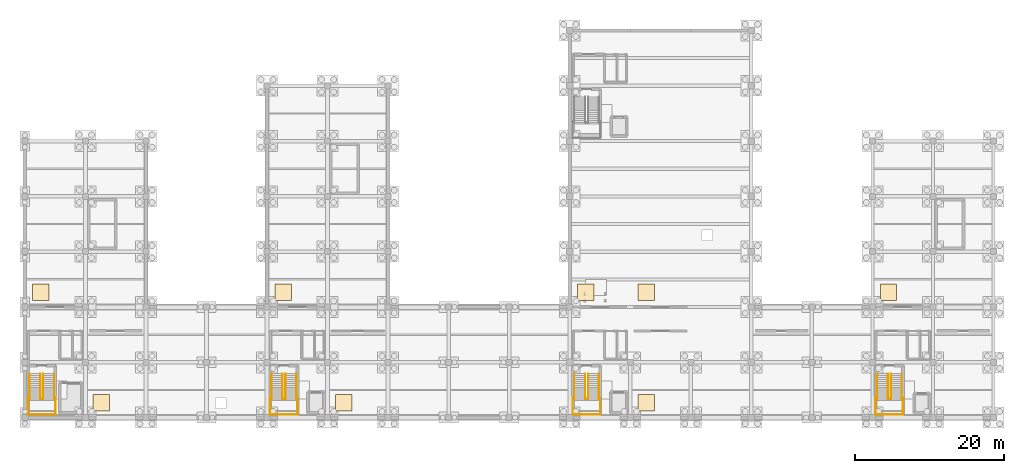
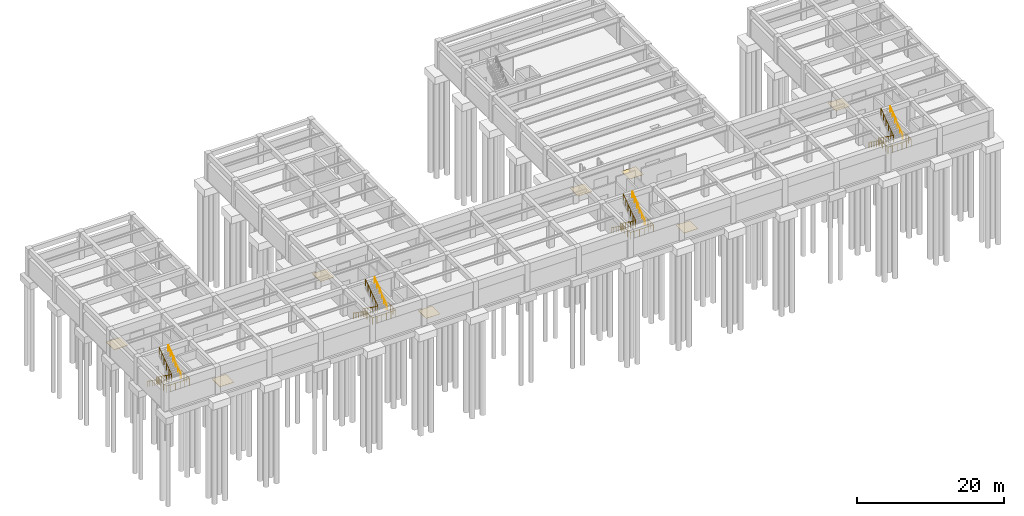
# One storey, part 12 of 14: 16 railings, 8 coverings.
"""IFC4 building model written with IfcOpenShell, lengths in metres."""

from ifc_helpers import new_model, si_unit, direction, frame, origin, origin_2d, place, context, subcontext, project, spatial, rectangle, circle, extrude, material, layer, layer_set, type_object, element, save


model = new_model("IFC4")

# Units and contexts
model_context = context("Model", 3, precision=1e-05, world=origin(), true_north=direction((0.0, 1.0)))
body_context = subcontext(model_context, "Body", "Model", "MODEL_VIEW")
ifc_project = project(units=[si_unit("LENGTHUNIT", "METRE"), si_unit("AREAUNIT", "SQUARE_METRE"), si_unit("VOLUMEUNIT", "CUBIC_METRE"), si_unit("PLANEANGLEUNIT", "RADIAN"), si_unit("MASSUNIT", "GRAM", prefix="KILO")], contexts=[model_context])

# Site, building, storey
site_placement = place(None, origin())
site = spatial("IfcSite", under=ifc_project, at=site_placement, CompositionType="ELEMENT")
building_placement = place(site_placement, origin())
building = spatial("IfcBuilding", under=site, at=building_placement, Name="Cimatlan Art Gallery", CompositionType="ELEMENT")
storey_placement = place(building_placement, frame((0.0, 0.0, -4.800048828125)))
storey = spatial("IfcBuildingStorey", under=building, at=storey_placement, Name="B1", CompositionType="ELEMENT", Elevation=-4.800048828125)

# Coverings
ifc_material_1 = material(Name="Honed Queretaro limestone terrazzo flooring", Category="masonry")
ifc_layer = layer(ifc_material_1, 0.02001953125)
ifc_layer_set = layer_set([ifc_layer], Name="Honed Queretaro limestone terrazzo flooring")
covering_type = type_object("IfcCoveringType", Name="COV-FLR-TERRAZZO-20", PredefinedType="FLOORING", material=ifc_layer_set)
for number, where, z_axis, x_axis, name in (
    (1, (4.14990234375, 40.699951171875, 0.0), (0.0, 0.0, 1.0), (1.0, 0.0, 0.0), "FLR-B1-AST-01"),
    (2, (36.550048828125, 40.699951171875, 0.0), (0.0, 0.0, 1.0), (1.0, 0.0, 0.0), "FLR-B1-AST-02"),
    (3, (85.14990234375, 40.699951171875, 0.0), (0.0, 0.0, 1.0), (1.0, 0.0, 0.0), "FLR-B1-AST-03"),
    (4, (77.050048828125, 40.699951171875, 0.0), (0.0, 0.0, 1.0), (1.0, 0.0, 0.0), "FLR-B1-AST-04"),
    (5, (117.550048828125, 40.699951171875, 0.0), (0.0, 0.0, 1.0), (1.0, 0.0, 0.0), "FLR-B1-AST-05"),
    (6, (12.25, 25.89990234375, 0.0), (0.0, 0.0, 1.0), (1.0, 0.0, 0.0), "FLR-B1-CRT-01"),
    (7, (44.64990234375, 25.89990234375, 0.0), (0.0, 0.0, 1.0), (1.0, 0.0, 0.0), "FLR-B1-CNS-01"),
    (8, (85.14990234375, 25.89990234375, 0.0), (0.0, 0.0, 1.0), (1.0, 0.0, 0.0), "FLR-B1-ARC-01"),
):
    element("IfcCovering", number, at=place(storey_placement, frame(where, z_axis=z_axis, x_axis=x_axis)), inside=storey, type_object=covering_type, Name=name, PredefinedType="FLOORING", context=body_context, shape_type="SweptSolid", body=[
        extrude(rectangle(XDim=2.199951171875, YDim=2.199951171875, at=origin_2d()), origin(), (0.0, 0.0, 1.0), 0.02001953125),
    ])

# Railings
ifc_material_2 = material(Name="Painted steel and bronze interior balustrade", Category="steel")
railing_type_1 = type_object("IfcRailingType", Name="RL-BAL-INT-1120", PredefinedType="BALUSTRADE", material=ifc_material_2)
railing_1_placement = place(storey_placement, frame((2.409912109375, 26.510009765625, 2.400146484375)))
element("IfcRailing", 9, at=railing_1_placement, inside=storey, type_object=railing_type_1, Name="STR-C1-B1-LGRD", PredefinedType="BALUSTRADE", context=body_context, shape_type="SweptSolid", body=[
    extrude(circle(Radius=0.02392578125, at=origin_2d()), frame((0.0, 0.0, 1.09619140625), z_axis=(0.0, -1.0, 0.0), x_axis=(1.0, 0.0, 0.0)), (0.0, 0.0, 1.0), 2.199951171875),
    extrude(circle(Radius=0.02392578125, at=origin_2d()), frame((0.0, -2.199951171875, 1.09619140625), z_axis=(1.0, 0.0, 0.0), x_axis=(0.0, 1.0, 0.0)), (0.0, 0.0, 1.0), 3.670166015625),
    extrude(circle(Radius=0.02392578125, at=origin_2d()), frame((3.670166015625, -2.199951171875, 1.09619140625), z_axis=(0.0, 1.0, 0.0), x_axis=(-1.0, 0.0, 0.0)), (0.0, 0.0, 1.0), 2.199951171875),
    extrude(circle(Radius=0.02001953125, at=origin_2d()), origin(), (0.0, 0.0, 1.0), 1.072021484375),
    extrude(circle(Radius=0.02001953125, at=origin_2d()), frame((0.0, -0.7333984375, 0.0)), (0.0, 0.0, 1.0), 1.072021484375),
    extrude(circle(Radius=0.02001953125, at=origin_2d()), frame((0.0, -1.466552734375, 0.0)), (0.0, 0.0, 1.0), 1.072021484375),
    extrude(circle(Radius=0.02001953125, at=origin_2d()), frame((0.0, -2.199951171875, 0.0)), (0.0, 0.0, 1.0), 1.072021484375),
    extrude(circle(Radius=0.02001953125, at=origin_2d()), frame((0.734130859375, -2.199951171875, 0.0)), (0.0, 0.0, 1.0), 1.072021484375),
    extrude(circle(Radius=0.02001953125, at=origin_2d()), frame((1.468017578125, -2.199951171875, 0.0)), (0.0, 0.0, 1.0), 1.072021484375),
    extrude(circle(Radius=0.02001953125, at=origin_2d()), frame((2.2021484375, -2.199951171875, 0.0)), (0.0, 0.0, 1.0), 1.072021484375),
    extrude(circle(Radius=0.02001953125, at=origin_2d()), frame((2.93603515625, -2.199951171875, 0.0)), (0.0, 0.0, 1.0), 1.072021484375),
    extrude(circle(Radius=0.02001953125, at=origin_2d()), frame((3.670166015625, -2.199951171875, 0.0)), (0.0, 0.0, 1.0), 1.072021484375),
    extrude(circle(Radius=0.02001953125, at=origin_2d()), frame((3.670166015625, -1.466552734375, 0.0)), (0.0, 0.0, 1.0), 1.072021484375),
    extrude(circle(Radius=0.02001953125, at=origin_2d()), frame((3.670166015625, -0.7333984375, 0.0)), (0.0, 0.0, 1.0), 1.072021484375),
    extrude(circle(Radius=0.02001953125, at=origin_2d()), frame((3.670166015625, 0.0, 0.0)), (0.0, 0.0, 1.0), 1.072021484375),
])
railing_2_placement = place(storey_placement, frame((4.070068359375, 29.780029296875, 0.0)))
element("IfcRailing", 10, at=railing_2_placement, inside=storey, type_object=railing_type_1, Name="STR-C1-B1-GRD", PredefinedType="BALUSTRADE", context=body_context, shape_type="SweptSolid", body=[
    extrude(circle(Radius=0.02392578125, at=origin_2d()), frame((0.0, 0.0, 1.09619140625), z_axis=(0.0, -0.815353794257, 0.578963030072), x_axis=(1.0, 0.0, 0.0)), (0.0, 0.0, 1.0), 4.1455078125),
    extrude(circle(Radius=0.02392578125, at=origin_2d()), frame((0.0, -3.380126953125, 3.49609375), z_axis=(1.0, 0.0, 0.0), x_axis=(0.0, 1.0, 0.0)), (0.0, 0.0, 1.0), 0.39990234375),
    extrude(circle(Radius=0.02392578125, at=origin_2d()), frame((0.39990234375, -3.380126953125, 3.49609375), z_axis=(0.0, 0.815381594603, 0.578923876847), x_axis=(-1.0, 0.0, 0.0)), (0.0, 0.0, 1.0), 4.1455078125),
    extrude(circle(Radius=0.02001953125, at=origin_2d()), origin(), (0.0, 0.0, 1.0), 1.072021484375),
    extrude(circle(Radius=0.02001953125, at=origin_2d()), frame((0.0, -0.676025390625, 0.47998046875)), (0.0, 0.0, 1.0), 1.072021484375),
    extrude(circle(Radius=0.02001953125, at=origin_2d()), frame((0.0, -1.35205078125, 0.9599609375)), (0.0, 0.0, 1.0), 1.072021484375),
    extrude(circle(Radius=0.02001953125, at=origin_2d()), frame((0.0, -2.028076171875, 1.440185546875)), (0.0, 0.0, 1.0), 1.072021484375),
    extrude(circle(Radius=0.02001953125, at=origin_2d()), frame((0.0, -2.7041015625, 1.920166015625)), (0.0, 0.0, 1.0), 1.072021484375),
    extrude(circle(Radius=0.02001953125, at=origin_2d()), frame((0.0, -3.380126953125, 2.400146484375)), (0.0, 0.0, 1.0), 1.072021484375),
    extrude(circle(Radius=0.02001953125, at=origin_2d()), frame((0.39990234375, -3.380126953125, 2.400146484375)), (0.0, 0.0, 1.0), 1.072021484375),
    extrude(circle(Radius=0.02001953125, at=origin_2d()), frame((0.39990234375, -2.7041015625, 2.880126953125)), (0.0, 0.0, 1.0), 1.072021484375),
    extrude(circle(Radius=0.02001953125, at=origin_2d()), frame((0.39990234375, -2.028076171875, 3.360107421875)), (0.0, 0.0, 1.0), 1.072021484375),
    extrude(circle(Radius=0.02001953125, at=origin_2d()), frame((0.39990234375, -1.35205078125, 3.840087890625)), (0.0, 0.0, 1.0), 1.072021484375),
    extrude(circle(Radius=0.02001953125, at=origin_2d()), frame((0.39990234375, -0.676025390625, 4.320068359375)), (0.0, 0.0, 1.0), 1.072021484375),
    extrude(circle(Radius=0.02001953125, at=origin_2d()), frame((0.39990234375, 0.0, 4.800048828125)), (0.0, 0.0, 1.0), 1.072021484375),
])
railing_3_placement = place(storey_placement, frame((34.81005859375, 26.510009765625, 2.400146484375)))
element("IfcRailing", 11, at=railing_3_placement, inside=storey, type_object=railing_type_1, Name="STR-C2-B1-LGRD", PredefinedType="BALUSTRADE", context=body_context, shape_type="SweptSolid", body=[
    extrude(circle(Radius=0.02392578125, at=origin_2d()), frame((0.0, 0.0, 1.09619140625), z_axis=(0.0, -1.0, 0.0), x_axis=(1.0, 0.0, 0.0)), (0.0, 0.0, 1.0), 2.199951171875),
    extrude(circle(Radius=0.02392578125, at=origin_2d()), frame((0.0, -2.199951171875, 1.09619140625), z_axis=(1.0, 0.0, 0.0), x_axis=(0.0, 1.0, 0.0)), (0.0, 0.0, 1.0), 3.669921875),
    extrude(circle(Radius=0.02392578125, at=origin_2d()), frame((3.669921875, -2.199951171875, 1.09619140625), z_axis=(0.0, 1.0, 0.0), x_axis=(-1.0, 0.0, 0.0)), (0.0, 0.0, 1.0), 2.199951171875),
    extrude(circle(Radius=0.02001953125, at=origin_2d()), origin(), (0.0, 0.0, 1.0), 1.072021484375),
    extrude(circle(Radius=0.02001953125, at=origin_2d()), frame((0.0, -0.7333984375, 0.0)), (0.0, 0.0, 1.0), 1.072021484375),
    extrude(circle(Radius=0.02001953125, at=origin_2d()), frame((0.0, -1.466552734375, 0.0)), (0.0, 0.0, 1.0), 1.072021484375),
    extrude(circle(Radius=0.02001953125, at=origin_2d()), frame((0.0, -2.199951171875, 0.0)), (0.0, 0.0, 1.0), 1.072021484375),
    extrude(circle(Radius=0.02001953125, at=origin_2d()), frame((0.73388671875, -2.199951171875, 0.0)), (0.0, 0.0, 1.0), 1.072021484375),
    extrude(circle(Radius=0.02001953125, at=origin_2d()), frame((1.468017578125, -2.199951171875, 0.0)), (0.0, 0.0, 1.0), 1.072021484375),
    extrude(circle(Radius=0.02001953125, at=origin_2d()), frame((2.201904296875, -2.199951171875, 0.0)), (0.0, 0.0, 1.0), 1.072021484375),
    extrude(circle(Radius=0.02001953125, at=origin_2d()), frame((2.93603515625, -2.199951171875, 0.0)), (0.0, 0.0, 1.0), 1.072021484375),
    extrude(circle(Radius=0.02001953125, at=origin_2d()), frame((3.669921875, -2.199951171875, 0.0)), (0.0, 0.0, 1.0), 1.072021484375),
    extrude(circle(Radius=0.02001953125, at=origin_2d()), frame((3.669921875, -1.466552734375, 0.0)), (0.0, 0.0, 1.0), 1.072021484375),
    extrude(circle(Radius=0.02001953125, at=origin_2d()), frame((3.669921875, -0.7333984375, 0.0)), (0.0, 0.0, 1.0), 1.072021484375),
    extrude(circle(Radius=0.02001953125, at=origin_2d()), frame((3.669921875, 0.0, 0.0)), (0.0, 0.0, 1.0), 1.072021484375),
])
railing_4_placement = place(storey_placement, frame((36.469970703125, 29.780029296875, 0.0)))
element("IfcRailing", 12, at=railing_4_placement, inside=storey, type_object=railing_type_1, Name="STR-C2-B1-GRD", PredefinedType="BALUSTRADE", context=body_context, shape_type="SweptSolid", body=[
    extrude(circle(Radius=0.02392578125, at=origin_2d()), frame((0.0, 0.0, 1.09619140625), z_axis=(0.0, -0.815353794257, 0.578963030072), x_axis=(1.0, 0.0, 0.0)), (0.0, 0.0, 1.0), 4.1455078125),
    extrude(circle(Radius=0.02392578125, at=origin_2d()), frame((0.0, -3.380126953125, 3.49609375), z_axis=(1.0, 0.0, 0.0), x_axis=(0.0, 1.0, 0.0)), (0.0, 0.0, 1.0), 0.400146484375),
    extrude(circle(Radius=0.02392578125, at=origin_2d()), frame((0.400146484375, -3.380126953125, 3.49609375), z_axis=(0.0, 0.815381594603, 0.578923876847), x_axis=(-1.0, 0.0, 0.0)), (0.0, 0.0, 1.0), 4.1455078125),
    extrude(circle(Radius=0.02001953125, at=origin_2d()), origin(), (0.0, 0.0, 1.0), 1.072021484375),
    extrude(circle(Radius=0.02001953125, at=origin_2d()), frame((0.0, -0.676025390625, 0.47998046875)), (0.0, 0.0, 1.0), 1.072021484375),
    extrude(circle(Radius=0.02001953125, at=origin_2d()), frame((0.0, -1.35205078125, 0.9599609375)), (0.0, 0.0, 1.0), 1.072021484375),
    extrude(circle(Radius=0.02001953125, at=origin_2d()), frame((0.0, -2.028076171875, 1.440185546875)), (0.0, 0.0, 1.0), 1.072021484375),
    extrude(circle(Radius=0.02001953125, at=origin_2d()), frame((0.0, -2.7041015625, 1.920166015625)), (0.0, 0.0, 1.0), 1.072021484375),
    extrude(circle(Radius=0.02001953125, at=origin_2d()), frame((0.0, -3.380126953125, 2.400146484375)), (0.0, 0.0, 1.0), 1.072021484375),
    extrude(circle(Radius=0.02001953125, at=origin_2d()), frame((0.400146484375, -3.380126953125, 2.400146484375)), (0.0, 0.0, 1.0), 1.072021484375),
    extrude(circle(Radius=0.02001953125, at=origin_2d()), frame((0.400146484375, -2.7041015625, 2.880126953125)), (0.0, 0.0, 1.0), 1.072021484375),
    extrude(circle(Radius=0.02001953125, at=origin_2d()), frame((0.400146484375, -2.028076171875, 3.360107421875)), (0.0, 0.0, 1.0), 1.072021484375),
    extrude(circle(Radius=0.02001953125, at=origin_2d()), frame((0.400146484375, -1.35205078125, 3.840087890625)), (0.0, 0.0, 1.0), 1.072021484375),
    extrude(circle(Radius=0.02001953125, at=origin_2d()), frame((0.400146484375, -0.676025390625, 4.320068359375)), (0.0, 0.0, 1.0), 1.072021484375),
    extrude(circle(Radius=0.02001953125, at=origin_2d()), frame((0.400146484375, 0.0, 4.800048828125)), (0.0, 0.0, 1.0), 1.072021484375),
])
railing_5_placement = place(storey_placement, frame((75.31005859375, 26.510009765625, 2.400146484375)))
element("IfcRailing", 13, at=railing_5_placement, inside=storey, type_object=railing_type_1, Name="STR-C3-B1-LGRD", PredefinedType="BALUSTRADE", context=body_context, shape_type="SweptSolid", body=[
    extrude(circle(Radius=0.02392578125, at=origin_2d()), frame((0.0, 0.0, 1.09619140625), z_axis=(0.0, -1.0, 0.0), x_axis=(1.0, 0.0, 0.0)), (0.0, 0.0, 1.0), 2.199951171875),
    extrude(circle(Radius=0.02392578125, at=origin_2d()), frame((0.0, -2.199951171875, 1.09619140625), z_axis=(1.0, 0.0, 0.0), x_axis=(0.0, 1.0, 0.0)), (0.0, 0.0, 1.0), 3.669921875),
    extrude(circle(Radius=0.02392578125, at=origin_2d()), frame((3.669921875, -2.199951171875, 1.09619140625), z_axis=(0.0, 1.0, 0.0), x_axis=(-1.0, 0.0, 0.0)), (0.0, 0.0, 1.0), 2.199951171875),
    extrude(circle(Radius=0.02001953125, at=origin_2d()), origin(), (0.0, 0.0, 1.0), 1.072021484375),
    extrude(circle(Radius=0.02001953125, at=origin_2d()), frame((0.0, -0.7333984375, 0.0)), (0.0, 0.0, 1.0), 1.072021484375),
    extrude(circle(Radius=0.02001953125, at=origin_2d()), frame((0.0, -1.466552734375, 0.0)), (0.0, 0.0, 1.0), 1.072021484375),
    extrude(circle(Radius=0.02001953125, at=origin_2d()), frame((0.0, -2.199951171875, 0.0)), (0.0, 0.0, 1.0), 1.072021484375),
    extrude(circle(Radius=0.02001953125, at=origin_2d()), frame((0.73388671875, -2.199951171875, 0.0)), (0.0, 0.0, 1.0), 1.072021484375),
    extrude(circle(Radius=0.02001953125, at=origin_2d()), frame((1.468017578125, -2.199951171875, 0.0)), (0.0, 0.0, 1.0), 1.072021484375),
    extrude(circle(Radius=0.02001953125, at=origin_2d()), frame((2.201904296875, -2.199951171875, 0.0)), (0.0, 0.0, 1.0), 1.072021484375),
    extrude(circle(Radius=0.02001953125, at=origin_2d()), frame((2.93603515625, -2.199951171875, 0.0)), (0.0, 0.0, 1.0), 1.072021484375),
    extrude(circle(Radius=0.02001953125, at=origin_2d()), frame((3.669921875, -2.199951171875, 0.0)), (0.0, 0.0, 1.0), 1.072021484375),
    extrude(circle(Radius=0.02001953125, at=origin_2d()), frame((3.669921875, -1.466552734375, 0.0)), (0.0, 0.0, 1.0), 1.072021484375),
    extrude(circle(Radius=0.02001953125, at=origin_2d()), frame((3.669921875, -0.7333984375, 0.0)), (0.0, 0.0, 1.0), 1.072021484375),
    extrude(circle(Radius=0.02001953125, at=origin_2d()), frame((3.669921875, 0.0, 0.0)), (0.0, 0.0, 1.0), 1.072021484375),
])
railing_6_placement = place(storey_placement, frame((76.969970703125, 29.780029296875, 0.0)))
element("IfcRailing", 14, at=railing_6_placement, inside=storey, type_object=railing_type_1, Name="STR-C3-B1-GRD", PredefinedType="BALUSTRADE", context=body_context, shape_type="SweptSolid", body=[
    extrude(circle(Radius=0.02392578125, at=origin_2d()), frame((0.0, 0.0, 1.09619140625), z_axis=(0.0, -0.815353794257, 0.578963030072), x_axis=(1.0, 0.0, 0.0)), (0.0, 0.0, 1.0), 4.1455078125),
    extrude(circle(Radius=0.02392578125, at=origin_2d()), frame((0.0, -3.380126953125, 3.49609375), z_axis=(1.0, 0.0, 0.0), x_axis=(0.0, 1.0, 0.0)), (0.0, 0.0, 1.0), 0.400146484375),
    extrude(circle(Radius=0.02392578125, at=origin_2d()), frame((0.400146484375, -3.380126953125, 3.49609375), z_axis=(0.0, 0.815381594603, 0.578923876847), x_axis=(-1.0, 0.0, 0.0)), (0.0, 0.0, 1.0), 4.1455078125),
    extrude(circle(Radius=0.02001953125, at=origin_2d()), origin(), (0.0, 0.0, 1.0), 1.072021484375),
    extrude(circle(Radius=0.02001953125, at=origin_2d()), frame((0.0, -0.676025390625, 0.47998046875)), (0.0, 0.0, 1.0), 1.072021484375),
    extrude(circle(Radius=0.02001953125, at=origin_2d()), frame((0.0, -1.35205078125, 0.9599609375)), (0.0, 0.0, 1.0), 1.072021484375),
    extrude(circle(Radius=0.02001953125, at=origin_2d()), frame((0.0, -2.028076171875, 1.440185546875)), (0.0, 0.0, 1.0), 1.072021484375),
    extrude(circle(Radius=0.02001953125, at=origin_2d()), frame((0.0, -2.7041015625, 1.920166015625)), (0.0, 0.0, 1.0), 1.072021484375),
    extrude(circle(Radius=0.02001953125, at=origin_2d()), frame((0.0, -3.380126953125, 2.400146484375)), (0.0, 0.0, 1.0), 1.072021484375),
    extrude(circle(Radius=0.02001953125, at=origin_2d()), frame((0.400146484375, -3.380126953125, 2.400146484375)), (0.0, 0.0, 1.0), 1.072021484375),
    extrude(circle(Radius=0.02001953125, at=origin_2d()), frame((0.400146484375, -2.7041015625, 2.880126953125)), (0.0, 0.0, 1.0), 1.072021484375),
    extrude(circle(Radius=0.02001953125, at=origin_2d()), frame((0.400146484375, -2.028076171875, 3.360107421875)), (0.0, 0.0, 1.0), 1.072021484375),
    extrude(circle(Radius=0.02001953125, at=origin_2d()), frame((0.400146484375, -1.35205078125, 3.840087890625)), (0.0, 0.0, 1.0), 1.072021484375),
    extrude(circle(Radius=0.02001953125, at=origin_2d()), frame((0.400146484375, -0.676025390625, 4.320068359375)), (0.0, 0.0, 1.0), 1.072021484375),
    extrude(circle(Radius=0.02001953125, at=origin_2d()), frame((0.400146484375, 0.0, 4.800048828125)), (0.0, 0.0, 1.0), 1.072021484375),
])
railing_7_placement = place(storey_placement, frame((115.81005859375, 26.510009765625, 2.400146484375)))
element("IfcRailing", 15, at=railing_7_placement, inside=storey, type_object=railing_type_1, Name="STR-C4-B1-LGRD", PredefinedType="BALUSTRADE", context=body_context, shape_type="SweptSolid", body=[
    extrude(circle(Radius=0.02392578125, at=origin_2d()), frame((0.0, 0.0, 1.09619140625), z_axis=(0.0, -1.0, 0.0), x_axis=(1.0, 0.0, 0.0)), (0.0, 0.0, 1.0), 2.199951171875),
    extrude(circle(Radius=0.02392578125, at=origin_2d()), frame((0.0, -2.199951171875, 1.09619140625), z_axis=(1.0, 0.0, 0.0), x_axis=(0.0, 1.0, 0.0)), (0.0, 0.0, 1.0), 3.669921875),
    extrude(circle(Radius=0.02392578125, at=origin_2d()), frame((3.669921875, -2.199951171875, 1.09619140625), z_axis=(0.0, 1.0, 0.0), x_axis=(-1.0, 0.0, 0.0)), (0.0, 0.0, 1.0), 2.199951171875),
    extrude(circle(Radius=0.02001953125, at=origin_2d()), origin(), (0.0, 0.0, 1.0), 1.072021484375),
    extrude(circle(Radius=0.02001953125, at=origin_2d()), frame((0.0, -0.7333984375, 0.0)), (0.0, 0.0, 1.0), 1.072021484375),
    extrude(circle(Radius=0.02001953125, at=origin_2d()), frame((0.0, -1.466552734375, 0.0)), (0.0, 0.0, 1.0), 1.072021484375),
    extrude(circle(Radius=0.02001953125, at=origin_2d()), frame((0.0, -2.199951171875, 0.0)), (0.0, 0.0, 1.0), 1.072021484375),
    extrude(circle(Radius=0.02001953125, at=origin_2d()), frame((0.73388671875, -2.199951171875, 0.0)), (0.0, 0.0, 1.0), 1.072021484375),
    extrude(circle(Radius=0.02001953125, at=origin_2d()), frame((1.468017578125, -2.199951171875, 0.0)), (0.0, 0.0, 1.0), 1.072021484375),
    extrude(circle(Radius=0.02001953125, at=origin_2d()), frame((2.201904296875, -2.199951171875, 0.0)), (0.0, 0.0, 1.0), 1.072021484375),
    extrude(circle(Radius=0.02001953125, at=origin_2d()), frame((2.93603515625, -2.199951171875, 0.0)), (0.0, 0.0, 1.0), 1.072021484375),
    extrude(circle(Radius=0.02001953125, at=origin_2d()), frame((3.669921875, -2.199951171875, 0.0)), (0.0, 0.0, 1.0), 1.072021484375),
    extrude(circle(Radius=0.02001953125, at=origin_2d()), frame((3.669921875, -1.466552734375, 0.0)), (0.0, 0.0, 1.0), 1.072021484375),
    extrude(circle(Radius=0.02001953125, at=origin_2d()), frame((3.669921875, -0.7333984375, 0.0)), (0.0, 0.0, 1.0), 1.072021484375),
    extrude(circle(Radius=0.02001953125, at=origin_2d()), frame((3.669921875, 0.0, 0.0)), (0.0, 0.0, 1.0), 1.072021484375),
])
railing_8_placement = place(storey_placement, frame((117.469970703125, 29.780029296875, 0.0)))
element("IfcRailing", 16, at=railing_8_placement, inside=storey, type_object=railing_type_1, Name="STR-C4-B1-GRD", PredefinedType="BALUSTRADE", context=body_context, shape_type="SweptSolid", body=[
    extrude(circle(Radius=0.02392578125, at=origin_2d()), frame((0.0, 0.0, 1.09619140625), z_axis=(0.0, -0.815353794257, 0.578963030072), x_axis=(1.0, 0.0, 0.0)), (0.0, 0.0, 1.0), 4.1455078125),
    extrude(circle(Radius=0.02392578125, at=origin_2d()), frame((0.0, -3.380126953125, 3.49609375), z_axis=(1.0, 0.0, 0.0), x_axis=(0.0, 1.0, 0.0)), (0.0, 0.0, 1.0), 0.400146484375),
    extrude(circle(Radius=0.02392578125, at=origin_2d()), frame((0.400146484375, -3.380126953125, 3.49609375), z_axis=(0.0, 0.815381594603, 0.578923876847), x_axis=(-1.0, 0.0, 0.0)), (0.0, 0.0, 1.0), 4.1455078125),
    extrude(circle(Radius=0.02001953125, at=origin_2d()), origin(), (0.0, 0.0, 1.0), 1.072021484375),
    extrude(circle(Radius=0.02001953125, at=origin_2d()), frame((0.0, -0.676025390625, 0.47998046875)), (0.0, 0.0, 1.0), 1.072021484375),
    extrude(circle(Radius=0.02001953125, at=origin_2d()), frame((0.0, -1.35205078125, 0.9599609375)), (0.0, 0.0, 1.0), 1.072021484375),
    extrude(circle(Radius=0.02001953125, at=origin_2d()), frame((0.0, -2.028076171875, 1.440185546875)), (0.0, 0.0, 1.0), 1.072021484375),
    extrude(circle(Radius=0.02001953125, at=origin_2d()), frame((0.0, -2.7041015625, 1.920166015625)), (0.0, 0.0, 1.0), 1.072021484375),
    extrude(circle(Radius=0.02001953125, at=origin_2d()), frame((0.0, -3.380126953125, 2.400146484375)), (0.0, 0.0, 1.0), 1.072021484375),
    extrude(circle(Radius=0.02001953125, at=origin_2d()), frame((0.400146484375, -3.380126953125, 2.400146484375)), (0.0, 0.0, 1.0), 1.072021484375),
    extrude(circle(Radius=0.02001953125, at=origin_2d()), frame((0.400146484375, -2.7041015625, 2.880126953125)), (0.0, 0.0, 1.0), 1.072021484375),
    extrude(circle(Radius=0.02001953125, at=origin_2d()), frame((0.400146484375, -2.028076171875, 3.360107421875)), (0.0, 0.0, 1.0), 1.072021484375),
    extrude(circle(Radius=0.02001953125, at=origin_2d()), frame((0.400146484375, -1.35205078125, 3.840087890625)), (0.0, 0.0, 1.0), 1.072021484375),
    extrude(circle(Radius=0.02001953125, at=origin_2d()), frame((0.400146484375, -0.676025390625, 4.320068359375)), (0.0, 0.0, 1.0), 1.072021484375),
    extrude(circle(Radius=0.02001953125, at=origin_2d()), frame((0.400146484375, 0.0, 4.800048828125)), (0.0, 0.0, 1.0), 1.072021484375),
])
ifc_material_3 = material(Name="Brushed bronze stair handrail")
railing_type_2 = type_object("IfcRailingType", Name="RL-HND-INT-920", PredefinedType="HANDRAIL", material=ifc_material_3)
railing_9_placement = place(storey_placement, frame((2.610107421875, 29.780029296875, 0.0)))
element("IfcRailing", 17, at=railing_9_placement, inside=storey, type_object=railing_type_2, Name="STR-C1-B1-HR1", PredefinedType="HANDRAIL", context=body_context, shape_type="SweptSolid", body=[
    extrude(circle(Radius=0.02197265625, at=origin_2d()), frame((0.0, 0.0, 0.89794921875), z_axis=(0.0, -0.815353794257, 0.578963030072), x_axis=(1.0, 0.0, 0.0)), (0.0, 0.0, 1.0), 4.1455078125),
    extrude(circle(Radius=0.01904296875, at=origin_2d()), origin(), (0.0, 0.0, 1.0), 0.8759765625),
    extrude(circle(Radius=0.01904296875, at=origin_2d()), frame((0.0, -0.676025390625, 0.47998046875)), (0.0, 0.0, 1.0), 0.8759765625),
    extrude(circle(Radius=0.01904296875, at=origin_2d()), frame((0.0, -1.35205078125, 0.9599609375)), (0.0, 0.0, 1.0), 0.8759765625),
    extrude(circle(Radius=0.01904296875, at=origin_2d()), frame((0.0, -2.028076171875, 1.440185546875)), (0.0, 0.0, 1.0), 0.8759765625),
    extrude(circle(Radius=0.01904296875, at=origin_2d()), frame((0.0, -2.7041015625, 1.920166015625)), (0.0, 0.0, 1.0), 0.8759765625),
    extrude(circle(Radius=0.01904296875, at=origin_2d()), frame((0.0, -3.380126953125, 2.400146484375)), (0.0, 0.0, 1.0), 0.8759765625),
])
railing_10_placement = place(storey_placement, frame((5.929931640625, 26.39990234375, 2.400146484375)))
element("IfcRailing", 18, at=railing_10_placement, inside=storey, type_object=railing_type_2, Name="STR-C1-B1-HR2", PredefinedType="HANDRAIL", context=body_context, shape_type="SweptSolid", body=[
    extrude(circle(Radius=0.02197265625, at=origin_2d()), frame((0.0, 0.0, 0.89794921875), z_axis=(0.0, 0.815381594603, 0.578923876847), x_axis=(-1.0, 0.0, 0.0)), (0.0, 0.0, 1.0), 4.1455078125),
    extrude(circle(Radius=0.01904296875, at=origin_2d()), origin(), (0.0, 0.0, 1.0), 0.8759765625),
    extrude(circle(Radius=0.01904296875, at=origin_2d()), frame((0.0, 0.676025390625, 0.47998046875)), (0.0, 0.0, 1.0), 0.8759765625),
    extrude(circle(Radius=0.01904296875, at=origin_2d()), frame((0.0, 1.35205078125, 0.9599609375)), (0.0, 0.0, 1.0), 0.8759765625),
    extrude(circle(Radius=0.01904296875, at=origin_2d()), frame((0.0, 2.028076171875, 1.43994140625)), (0.0, 0.0, 1.0), 0.8759765625),
    extrude(circle(Radius=0.01904296875, at=origin_2d()), frame((0.0, 2.7041015625, 1.919921875)), (0.0, 0.0, 1.0), 0.8759765625),
    extrude(circle(Radius=0.01904296875, at=origin_2d()), frame((0.0, 3.380126953125, 2.39990234375)), (0.0, 0.0, 1.0), 0.8759765625),
])
railing_11_placement = place(storey_placement, frame((35.010009765625, 29.780029296875, 0.0)))
element("IfcRailing", 19, at=railing_11_placement, inside=storey, type_object=railing_type_2, Name="STR-C2-B1-HR1", PredefinedType="HANDRAIL", context=body_context, shape_type="SweptSolid", body=[
    extrude(circle(Radius=0.02197265625, at=origin_2d()), frame((0.0, 0.0, 0.89794921875), z_axis=(0.0, -0.815353794257, 0.578963030072), x_axis=(1.0, 0.0, 0.0)), (0.0, 0.0, 1.0), 4.1455078125),
    extrude(circle(Radius=0.01904296875, at=origin_2d()), origin(), (0.0, 0.0, 1.0), 0.8759765625),
    extrude(circle(Radius=0.01904296875, at=origin_2d()), frame((0.0, -0.676025390625, 0.47998046875)), (0.0, 0.0, 1.0), 0.8759765625),
    extrude(circle(Radius=0.01904296875, at=origin_2d()), frame((0.0, -1.35205078125, 0.9599609375)), (0.0, 0.0, 1.0), 0.8759765625),
    extrude(circle(Radius=0.01904296875, at=origin_2d()), frame((0.0, -2.028076171875, 1.440185546875)), (0.0, 0.0, 1.0), 0.8759765625),
    extrude(circle(Radius=0.01904296875, at=origin_2d()), frame((0.0, -2.7041015625, 1.920166015625)), (0.0, 0.0, 1.0), 0.8759765625),
    extrude(circle(Radius=0.01904296875, at=origin_2d()), frame((0.0, -3.380126953125, 2.400146484375)), (0.0, 0.0, 1.0), 0.8759765625),
])
railing_12_placement = place(storey_placement, frame((38.330078125, 26.39990234375, 2.400146484375)))
element("IfcRailing", 20, at=railing_12_placement, inside=storey, type_object=railing_type_2, Name="STR-C2-B1-HR2", PredefinedType="HANDRAIL", context=body_context, shape_type="SweptSolid", body=[
    extrude(circle(Radius=0.02197265625, at=origin_2d()), frame((0.0, 0.0, 0.89794921875), z_axis=(0.0, 0.815381594603, 0.578923876847), x_axis=(-1.0, 0.0, 0.0)), (0.0, 0.0, 1.0), 4.1455078125),
    extrude(circle(Radius=0.01904296875, at=origin_2d()), origin(), (0.0, 0.0, 1.0), 0.8759765625),
    extrude(circle(Radius=0.01904296875, at=origin_2d()), frame((0.0, 0.676025390625, 0.47998046875)), (0.0, 0.0, 1.0), 0.8759765625),
    extrude(circle(Radius=0.01904296875, at=origin_2d()), frame((0.0, 1.35205078125, 0.9599609375)), (0.0, 0.0, 1.0), 0.8759765625),
    extrude(circle(Radius=0.01904296875, at=origin_2d()), frame((0.0, 2.028076171875, 1.43994140625)), (0.0, 0.0, 1.0), 0.8759765625),
    extrude(circle(Radius=0.01904296875, at=origin_2d()), frame((0.0, 2.7041015625, 1.919921875)), (0.0, 0.0, 1.0), 0.8759765625),
    extrude(circle(Radius=0.01904296875, at=origin_2d()), frame((0.0, 3.380126953125, 2.39990234375)), (0.0, 0.0, 1.0), 0.8759765625),
])
railing_13_placement = place(storey_placement, frame((75.510009765625, 29.780029296875, 0.0)))
element("IfcRailing", 21, at=railing_13_placement, inside=storey, type_object=railing_type_2, Name="STR-C3-B1-HR1", PredefinedType="HANDRAIL", context=body_context, shape_type="SweptSolid", body=[
    extrude(circle(Radius=0.02197265625, at=origin_2d()), frame((0.0, 0.0, 0.89794921875), z_axis=(0.0, -0.815353794257, 0.578963030072), x_axis=(1.0, 0.0, 0.0)), (0.0, 0.0, 1.0), 4.1455078125),
    extrude(circle(Radius=0.01904296875, at=origin_2d()), origin(), (0.0, 0.0, 1.0), 0.8759765625),
    extrude(circle(Radius=0.01904296875, at=origin_2d()), frame((0.0, -0.676025390625, 0.47998046875)), (0.0, 0.0, 1.0), 0.8759765625),
    extrude(circle(Radius=0.01904296875, at=origin_2d()), frame((0.0, -1.35205078125, 0.9599609375)), (0.0, 0.0, 1.0), 0.8759765625),
    extrude(circle(Radius=0.01904296875, at=origin_2d()), frame((0.0, -2.028076171875, 1.440185546875)), (0.0, 0.0, 1.0), 0.8759765625),
    extrude(circle(Radius=0.01904296875, at=origin_2d()), frame((0.0, -2.7041015625, 1.920166015625)), (0.0, 0.0, 1.0), 0.8759765625),
    extrude(circle(Radius=0.01904296875, at=origin_2d()), frame((0.0, -3.380126953125, 2.400146484375)), (0.0, 0.0, 1.0), 0.8759765625),
])
railing_14_placement = place(storey_placement, frame((78.830078125, 26.39990234375, 2.400146484375)))
element("IfcRailing", 22, at=railing_14_placement, inside=storey, type_object=railing_type_2, Name="STR-C3-B1-HR2", PredefinedType="HANDRAIL", context=body_context, shape_type="SweptSolid", body=[
    extrude(circle(Radius=0.02197265625, at=origin_2d()), frame((0.0, 0.0, 0.89794921875), z_axis=(0.0, 0.815381594603, 0.578923876847), x_axis=(-1.0, 0.0, 0.0)), (0.0, 0.0, 1.0), 4.1455078125),
    extrude(circle(Radius=0.01904296875, at=origin_2d()), origin(), (0.0, 0.0, 1.0), 0.8759765625),
    extrude(circle(Radius=0.01904296875, at=origin_2d()), frame((0.0, 0.676025390625, 0.47998046875)), (0.0, 0.0, 1.0), 0.8759765625),
    extrude(circle(Radius=0.01904296875, at=origin_2d()), frame((0.0, 1.35205078125, 0.9599609375)), (0.0, 0.0, 1.0), 0.8759765625),
    extrude(circle(Radius=0.01904296875, at=origin_2d()), frame((0.0, 2.028076171875, 1.43994140625)), (0.0, 0.0, 1.0), 0.8759765625),
    extrude(circle(Radius=0.01904296875, at=origin_2d()), frame((0.0, 2.7041015625, 1.919921875)), (0.0, 0.0, 1.0), 0.8759765625),
    extrude(circle(Radius=0.01904296875, at=origin_2d()), frame((0.0, 3.380126953125, 2.39990234375)), (0.0, 0.0, 1.0), 0.8759765625),
])
railing_15_placement = place(storey_placement, frame((116.010009765625, 29.780029296875, 0.0)))
element("IfcRailing", 23, at=railing_15_placement, inside=storey, type_object=railing_type_2, Name="STR-C4-B1-HR1", PredefinedType="HANDRAIL", context=body_context, shape_type="SweptSolid", body=[
    extrude(circle(Radius=0.02197265625, at=origin_2d()), frame((0.0, 0.0, 0.89794921875), z_axis=(0.0, -0.815353794257, 0.578963030072), x_axis=(1.0, 0.0, 0.0)), (0.0, 0.0, 1.0), 4.1455078125),
    extrude(circle(Radius=0.01904296875, at=origin_2d()), origin(), (0.0, 0.0, 1.0), 0.8759765625),
    extrude(circle(Radius=0.01904296875, at=origin_2d()), frame((0.0, -0.676025390625, 0.47998046875)), (0.0, 0.0, 1.0), 0.8759765625),
    extrude(circle(Radius=0.01904296875, at=origin_2d()), frame((0.0, -1.35205078125, 0.9599609375)), (0.0, 0.0, 1.0), 0.8759765625),
    extrude(circle(Radius=0.01904296875, at=origin_2d()), frame((0.0, -2.028076171875, 1.440185546875)), (0.0, 0.0, 1.0), 0.8759765625),
    extrude(circle(Radius=0.01904296875, at=origin_2d()), frame((0.0, -2.7041015625, 1.920166015625)), (0.0, 0.0, 1.0), 0.8759765625),
    extrude(circle(Radius=0.01904296875, at=origin_2d()), frame((0.0, -3.380126953125, 2.400146484375)), (0.0, 0.0, 1.0), 0.8759765625),
])
railing_16_placement = place(storey_placement, frame((119.330078125, 26.39990234375, 2.400146484375)))
element("IfcRailing", 24, at=railing_16_placement, inside=storey, type_object=railing_type_2, Name="STR-C4-B1-HR2", PredefinedType="HANDRAIL", context=body_context, shape_type="SweptSolid", body=[
    extrude(circle(Radius=0.02197265625, at=origin_2d()), frame((0.0, 0.0, 0.89794921875), z_axis=(0.0, 0.815381594603, 0.578923876847), x_axis=(-1.0, 0.0, 0.0)), (0.0, 0.0, 1.0), 4.1455078125),
    extrude(circle(Radius=0.01904296875, at=origin_2d()), origin(), (0.0, 0.0, 1.0), 0.8759765625),
    extrude(circle(Radius=0.01904296875, at=origin_2d()), frame((0.0, 0.676025390625, 0.47998046875)), (0.0, 0.0, 1.0), 0.8759765625),
    extrude(circle(Radius=0.01904296875, at=origin_2d()), frame((0.0, 1.35205078125, 0.9599609375)), (0.0, 0.0, 1.0), 0.8759765625),
    extrude(circle(Radius=0.01904296875, at=origin_2d()), frame((0.0, 2.028076171875, 1.43994140625)), (0.0, 0.0, 1.0), 0.8759765625),
    extrude(circle(Radius=0.01904296875, at=origin_2d()), frame((0.0, 2.7041015625, 1.919921875)), (0.0, 0.0, 1.0), 0.8759765625),
    extrude(circle(Radius=0.01904296875, at=origin_2d()), frame((0.0, 3.380126953125, 2.39990234375)), (0.0, 0.0, 1.0), 0.8759765625),
])

save(model, "model.ifc")
